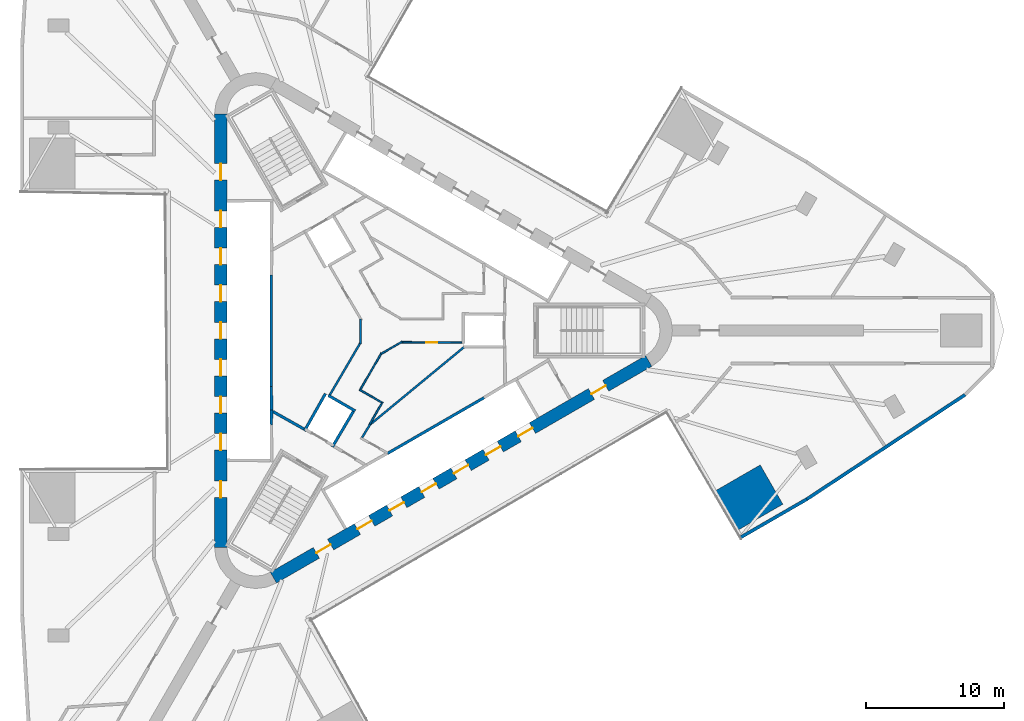
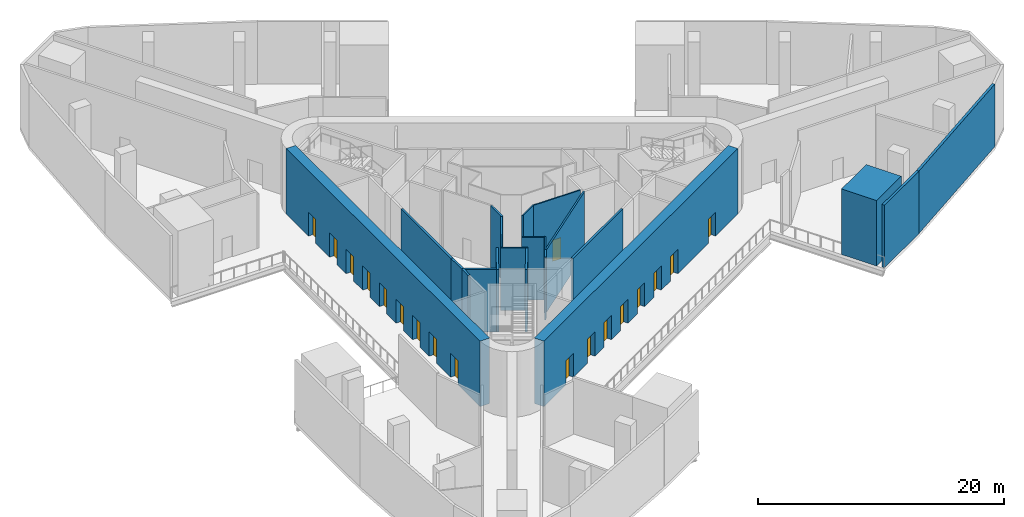
# One storey, part 4 of 11: 22 walls, 18 doors, 18 openings.
"""IFC4 building model written with IfcOpenShell, lengths in metres."""

from ifc_helpers import new_model, si_unit, direction, frame, frame_2d, origin, place, context, subcontext, project, spatial, polyline, rectangle, outline, extrude, material, layer, layer_set, type_object, element, fill, save


model = new_model("IFC4")

# Units and contexts
model_context = context("Model", 3, precision=1e-05, world=origin(), true_north=direction((0.0, 1.0)))
body_context = subcontext(model_context, "Body", "Model", "MODEL_VIEW")
ifc_project = project(units=[si_unit("LENGTHUNIT", "METRE"), si_unit("AREAUNIT", "SQUARE_METRE"), si_unit("VOLUMEUNIT", "CUBIC_METRE"), si_unit("PLANEANGLEUNIT", "RADIAN"), si_unit("MASSUNIT", "GRAM", prefix="KILO")], contexts=[model_context])

# Site, building, storey
site_placement = place(None, origin())
site = spatial("IfcSite", under=ifc_project, at=site_placement, CompositionType="ELEMENT")
building_placement = place(site_placement, origin())
building = spatial("IfcBuilding", under=site, at=building_placement, Name="Tanit Gate Tower", CompositionType="ELEMENT")
storey_placement = place(building_placement, frame((0.0, 0.0, 9.0)))
storey = spatial("IfcBuildingStorey", under=building, at=storey_placement, Name="L01", CompositionType="ELEMENT", Elevation=9.0)

# Wall, openings, doors
ifc_material_1 = material(Name="Concrete C60/75", Category="concrete")
ifc_layer_1 = layer(ifc_material_1, 0.89990234375)
ifc_layer_set_1 = layer_set([ifc_layer_1], Name="CORE WALL 900 C60/75")
wall_type_1 = type_object("IfcWallType", Name="CORE WALL 900 C60/75", PredefinedType="SHEAR", material=ifc_layer_set_1)
wall_1_placement = place(storey_placement, frame((-11.64990234375, 15.76171875, 0.0), z_axis=(0.0, 0.0, 1.0), x_axis=(0.0, -1.0, 0.0)))
wall_1 = element("IfcWall", 1, at=wall_1_placement, inside=storey, type_object=wall_type_1, Name="CORE WALL", PredefinedType="SHEAR", context=body_context, shape_type="SweptSolid", body=[
    extrude(rectangle(XDim=31.5234375, YDim=0.89990234375, at=frame_2d((15.76171875, 0.0))), origin(), (0.0, 0.0, 1.0), 6.5),
])
opening_1_placement = place(wall_1_placement, frame((7.061767578125, 0.0, 0.0)))
opening_1 = element("IfcOpeningElement", 2, at=opening_1_placement, cuts=wall_1, Name="Opening LDLL1-01", PredefinedType="OPENING", context=body_context, shape_type="SweptSolid", body=[
    extrude(rectangle(XDim=1.199951171875, YDim=2.39990234375, at=frame_2d((0.60009765625, 1.199951171875))), frame((0.0, 0.4599609375, 0.0), z_axis=(0.0, -1.0, 0.0), x_axis=(1.0, 0.0, 0.0)), (0.0, 0.0, 1.0), 0.919921875),
])
opening_2_placement = place(wall_1_placement, frame((9.76171875, 0.0, 0.0)))
opening_2 = element("IfcOpeningElement", 3, at=opening_2_placement, cuts=wall_1, Name="Opening LDLL2-01", PredefinedType="OPENING", context=body_context, shape_type="SweptSolid", body=[
    extrude(rectangle(XDim=1.199951171875, YDim=2.39990234375, at=frame_2d((0.60009765625, 1.199951171875))), frame((0.0, 0.4599609375, 0.0), z_axis=(0.0, -1.0, 0.0), x_axis=(1.0, 0.0, 0.0)), (0.0, 0.0, 1.0), 0.919921875),
])
opening_3_placement = place(wall_1_placement, frame((12.461669921875, 0.0, 0.0)))
opening_3 = element("IfcOpeningElement", 4, at=opening_3_placement, cuts=wall_1, Name="Opening LDLL3-01", PredefinedType="OPENING", context=body_context, shape_type="SweptSolid", body=[
    extrude(rectangle(XDim=1.199951171875, YDim=2.39990234375, at=frame_2d((0.60009765625, 1.199951171875))), frame((0.0, 0.4599609375, 0.0), z_axis=(0.0, -1.0, 0.0), x_axis=(1.0, 0.0, 0.0)), (0.0, 0.0, 1.0), 0.919921875),
])
opening_4_placement = place(wall_1_placement, frame((15.16162109375, 0.0, 0.0)))
opening_4 = element("IfcOpeningElement", 5, at=opening_4_placement, cuts=wall_1, Name="Opening LDLL4-01", PredefinedType="OPENING", context=body_context, shape_type="SweptSolid", body=[
    extrude(rectangle(XDim=1.199951171875, YDim=2.39990234375, at=frame_2d((0.60009765625, 1.199951171875))), frame((0.0, 0.4599609375, 0.0), z_axis=(0.0, -1.0, 0.0), x_axis=(1.0, 0.0, 0.0)), (0.0, 0.0, 1.0), 0.919921875),
])
opening_5_placement = place(wall_1_placement, frame((17.86181640625, 0.0, 0.0)))
opening_5 = element("IfcOpeningElement", 6, at=opening_5_placement, cuts=wall_1, Name="Opening LDLL5-01", PredefinedType="OPENING", context=body_context, shape_type="SweptSolid", body=[
    extrude(rectangle(XDim=1.199951171875, YDim=2.39990234375, at=frame_2d((0.60009765625, 1.199951171875))), frame((0.0, 0.4599609375, 0.0), z_axis=(0.0, -1.0, 0.0), x_axis=(1.0, 0.0, 0.0)), (0.0, 0.0, 1.0), 0.919921875),
])
opening_6_placement = place(wall_1_placement, frame((20.561767578125, 0.0, 0.0)))
opening_6 = element("IfcOpeningElement", 7, at=opening_6_placement, cuts=wall_1, Name="Opening LDLL6-01", PredefinedType="OPENING", context=body_context, shape_type="SweptSolid", body=[
    extrude(rectangle(XDim=1.199951171875, YDim=2.39990234375, at=frame_2d((0.60009765625, 1.199951171875))), frame((0.0, 0.4599609375, 0.0), z_axis=(0.0, -1.0, 0.0), x_axis=(1.0, 0.0, 0.0)), (0.0, 0.0, 1.0), 0.919921875),
])
opening_7_placement = place(wall_1_placement, frame((23.26171875, 0.0, 0.0)))
opening_7 = element("IfcOpeningElement", 8, at=opening_7_placement, cuts=wall_1, Name="Opening LDLL7-01", PredefinedType="OPENING", context=body_context, shape_type="SweptSolid", body=[
    extrude(rectangle(XDim=1.199951171875, YDim=2.39990234375, at=frame_2d((0.60009765625, 1.199951171875))), frame((0.0, 0.4599609375, 0.0), z_axis=(0.0, -1.0, 0.0), x_axis=(1.0, 0.0, 0.0)), (0.0, 0.0, 1.0), 0.919921875),
])
opening_8_placement = place(wall_1_placement, frame((3.61181640625, 0.0, 0.0)))
opening_8 = element("IfcOpeningElement", 9, at=opening_8_placement, cuts=wall_1, Name="Opening F12-01-FL2", PredefinedType="OPENING", context=body_context, shape_type="SweptSolid", body=[
    extrude(rectangle(XDim=1.199951171875, YDim=2.39990234375, at=frame_2d((0.60009765625, 1.199951171875))), frame((0.0, 0.4599609375, 0.0), z_axis=(0.0, -1.0, 0.0), x_axis=(1.0, 0.0, 0.0)), (0.0, 0.0, 1.0), 0.919921875),
])
opening_9_placement = place(wall_1_placement, frame((26.711669921875, 0.0, 0.0)))
opening_9 = element("IfcOpeningElement", 10, at=opening_9_placement, cuts=wall_1, Name="Opening F12-01-S3", PredefinedType="OPENING", context=body_context, shape_type="SweptSolid", body=[
    extrude(rectangle(XDim=1.199951171875, YDim=2.39990234375, at=frame_2d((0.60009765625, 1.199951171875))), frame((0.0, 0.4599609375, 0.0), z_axis=(0.0, -1.0, 0.0), x_axis=(1.0, 0.0, 0.0)), (0.0, 0.0, 1.0), 0.919921875),
])
ifc_material_2 = material(Name="Fire-rated steel door leaf", Category="steel")
door_type_1 = type_object("IfcDoorType", Name="INT-DOOR-FIRE-LOBBY-1200", OperationType="NOTDEFINED", PredefinedType="USERDEFINED", material=ifc_material_2)
door_1_placement = place(opening_8_placement, origin())
door_1 = element("IfcDoor", 11, at=door_1_placement, inside=storey, type_object=door_type_1, Name="Door F12-01-FL2", ObjectType="FIRE DOOR", OperationType="SINGLE_SWING_RIGHT", OverallHeight=2.39990234375, OverallWidth=1.199951171875, PredefinedType="USERDEFINED", context=body_context, shape_type="SweptSolid", body=[
    extrude(rectangle(XDim=1.199951171875, YDim=2.39990234375, at=frame_2d((0.60009765625, 1.199951171875))), frame((0.0, 0.02490234375, 0.0), z_axis=(0.0, -1.0, 0.0), x_axis=(1.0, 0.0, 0.0)), (0.0, 0.0, 1.0), 0.050048828125),
])
fill(opening_8, door_1)
door_2_placement = place(opening_9_placement, origin())
door_2 = element("IfcDoor", 12, at=door_2_placement, inside=storey, type_object=door_type_1, Name="Door F12-01-S3", ObjectType="FIRE DOOR", OperationType="SINGLE_SWING_LEFT", OverallHeight=2.39990234375, OverallWidth=1.199951171875, PredefinedType="USERDEFINED", context=body_context, shape_type="SweptSolid", body=[
    extrude(rectangle(XDim=1.199951171875, YDim=2.39990234375, at=frame_2d((0.60009765625, 1.199951171875))), frame((0.0, 0.02490234375, 0.0), z_axis=(0.0, -1.0, 0.0), x_axis=(1.0, 0.0, 0.0)), (0.0, 0.0, 1.0), 0.050048828125),
])
fill(opening_9, door_2)
ifc_material_3 = material(Name="Stainless steel sliding door leaf", Category="steel")
door_type_2 = type_object("IfcDoorType", Name="INT-DOOR-LANDING-1200", OperationType="NOTDEFINED", PredefinedType="USERDEFINED", material=ifc_material_3)
door_3_placement = place(opening_1_placement, origin())
door_3 = element("IfcDoor", 13, at=door_3_placement, inside=storey, type_object=door_type_2, Name="Door LDLL1-01", ObjectType="LANDING DOOR", OperationType="SLIDING_TO_LEFT", OverallHeight=2.39990234375, OverallWidth=1.199951171875, PredefinedType="USERDEFINED", context=body_context, shape_type="SweptSolid", body=[
    extrude(rectangle(XDim=1.199951171875, YDim=2.39990234375, at=frame_2d((0.60009765625, 1.199951171875))), frame((0.0, 0.02490234375, 0.0), z_axis=(0.0, -1.0, 0.0), x_axis=(1.0, 0.0, 0.0)), (0.0, 0.0, 1.0), 0.050048828125),
])
fill(opening_1, door_3)
door_4_placement = place(opening_2_placement, origin())
door_4 = element("IfcDoor", 14, at=door_4_placement, inside=storey, type_object=door_type_2, Name="Door LDLL2-01", ObjectType="LANDING DOOR", OperationType="SLIDING_TO_LEFT", OverallHeight=2.39990234375, OverallWidth=1.199951171875, PredefinedType="USERDEFINED", context=body_context, shape_type="SweptSolid", body=[
    extrude(rectangle(XDim=1.199951171875, YDim=2.39990234375, at=frame_2d((0.60009765625, 1.199951171875))), frame((0.0, 0.02490234375, 0.0), z_axis=(0.0, -1.0, 0.0), x_axis=(1.0, 0.0, 0.0)), (0.0, 0.0, 1.0), 0.050048828125),
])
fill(opening_2, door_4)
door_5_placement = place(opening_3_placement, origin())
door_5 = element("IfcDoor", 15, at=door_5_placement, inside=storey, type_object=door_type_2, Name="Door LDLL3-01", ObjectType="LANDING DOOR", OperationType="SLIDING_TO_LEFT", OverallHeight=2.39990234375, OverallWidth=1.199951171875, PredefinedType="USERDEFINED", context=body_context, shape_type="SweptSolid", body=[
    extrude(rectangle(XDim=1.199951171875, YDim=2.39990234375, at=frame_2d((0.60009765625, 1.199951171875))), frame((0.0, 0.02490234375, 0.0), z_axis=(0.0, -1.0, 0.0), x_axis=(1.0, 0.0, 0.0)), (0.0, 0.0, 1.0), 0.050048828125),
])
fill(opening_3, door_5)
door_6_placement = place(opening_4_placement, origin())
door_6 = element("IfcDoor", 16, at=door_6_placement, inside=storey, type_object=door_type_2, Name="Door LDLL4-01", ObjectType="LANDING DOOR", OperationType="SLIDING_TO_LEFT", OverallHeight=2.39990234375, OverallWidth=1.199951171875, PredefinedType="USERDEFINED", context=body_context, shape_type="SweptSolid", body=[
    extrude(rectangle(XDim=1.199951171875, YDim=2.39990234375, at=frame_2d((0.60009765625, 1.199951171875))), frame((0.0, 0.02490234375, 0.0), z_axis=(0.0, -1.0, 0.0), x_axis=(1.0, 0.0, 0.0)), (0.0, 0.0, 1.0), 0.050048828125),
])
fill(opening_4, door_6)
door_7_placement = place(opening_5_placement, origin())
door_7 = element("IfcDoor", 17, at=door_7_placement, inside=storey, type_object=door_type_2, Name="Door LDLL5-01", ObjectType="LANDING DOOR", OperationType="SLIDING_TO_LEFT", OverallHeight=2.39990234375, OverallWidth=1.199951171875, PredefinedType="USERDEFINED", context=body_context, shape_type="SweptSolid", body=[
    extrude(rectangle(XDim=1.199951171875, YDim=2.39990234375, at=frame_2d((0.60009765625, 1.199951171875))), frame((0.0, 0.02490234375, 0.0), z_axis=(0.0, -1.0, 0.0), x_axis=(1.0, 0.0, 0.0)), (0.0, 0.0, 1.0), 0.050048828125),
])
fill(opening_5, door_7)
door_8_placement = place(opening_6_placement, origin())
door_8 = element("IfcDoor", 18, at=door_8_placement, inside=storey, type_object=door_type_2, Name="Door LDLL6-01", ObjectType="LANDING DOOR", OperationType="SLIDING_TO_LEFT", OverallHeight=2.39990234375, OverallWidth=1.199951171875, PredefinedType="USERDEFINED", context=body_context, shape_type="SweptSolid", body=[
    extrude(rectangle(XDim=1.199951171875, YDim=2.39990234375, at=frame_2d((0.60009765625, 1.199951171875))), frame((0.0, 0.02490234375, 0.0), z_axis=(0.0, -1.0, 0.0), x_axis=(1.0, 0.0, 0.0)), (0.0, 0.0, 1.0), 0.050048828125),
])
fill(opening_6, door_8)
door_9_placement = place(opening_7_placement, origin())
door_9 = element("IfcDoor", 19, at=door_9_placement, inside=storey, type_object=door_type_2, Name="Door LDLL7-01", ObjectType="LANDING DOOR", OperationType="SLIDING_TO_LEFT", OverallHeight=2.39990234375, OverallWidth=1.199951171875, PredefinedType="USERDEFINED", context=body_context, shape_type="SweptSolid", body=[
    extrude(rectangle(XDim=1.199951171875, YDim=2.39990234375, at=frame_2d((0.60009765625, 1.199951171875))), frame((0.0, 0.02490234375, 0.0), z_axis=(0.0, -1.0, 0.0), x_axis=(1.0, 0.0, 0.0)), (0.0, 0.0, 1.0), 0.050048828125),
])
fill(opening_7, door_9)

wall_2_placement = place(storey_placement, frame((-7.824951171875, -17.969970703125, 0.0), z_axis=(0.0, 0.0, 1.0), x_axis=(0.866028369851, 0.499994862586, 0.0)))
wall_2 = element("IfcWall", 20, at=wall_2_placement, inside=storey, type_object=wall_type_1, Name="CORE WALL", PredefinedType="SHEAR", context=body_context, shape_type="SweptSolid", body=[
    extrude(rectangle(XDim=31.523193359375, YDim=0.89990234375, at=frame_2d((15.76171875, 0.0))), origin(), (0.0, 0.0, 1.0), 6.5),
])
opening_10_placement = place(wall_2_placement, frame((7.061767578125, 0.0, 0.0)))
opening_10 = element("IfcOpeningElement", 21, at=opening_10_placement, cuts=wall_2, Name="Opening LDSX1-01", PredefinedType="OPENING", context=body_context, shape_type="SweptSolid", body=[
    extrude(rectangle(XDim=1.199951171875, YDim=2.39990234375, at=frame_2d((0.60009765625, 1.199951171875))), frame((0.0, 0.4599609375, 0.0), z_axis=(0.0, -1.0, 0.0), x_axis=(1.0, 0.0, 0.0)), (0.0, 0.0, 1.0), 0.919921875),
])
opening_11_placement = place(wall_2_placement, frame((9.76171875, 0.0, 0.0)))
opening_11 = element("IfcOpeningElement", 22, at=opening_11_placement, cuts=wall_2, Name="Opening LDSX2-01", PredefinedType="OPENING", context=body_context, shape_type="SweptSolid", body=[
    extrude(rectangle(XDim=1.199951171875, YDim=2.39990234375, at=frame_2d((0.60009765625, 1.199951171875))), frame((0.0, 0.4599609375, 0.0), z_axis=(0.0, -1.0, 0.0), x_axis=(1.0, 0.0, 0.0)), (0.0, 0.0, 1.0), 0.919921875),
])
opening_12_placement = place(wall_2_placement, frame((12.461669921875, 0.0, 0.0)))
opening_12 = element("IfcOpeningElement", 23, at=opening_12_placement, cuts=wall_2, Name="Opening LDSX3-01", PredefinedType="OPENING", context=body_context, shape_type="SweptSolid", body=[
    extrude(rectangle(XDim=1.199951171875, YDim=2.39990234375, at=frame_2d((0.60009765625, 1.199951171875))), frame((0.0, 0.4599609375, 0.0), z_axis=(0.0, -1.0, 0.0), x_axis=(1.0, 0.0, 0.0)), (0.0, 0.0, 1.0), 0.919921875),
])
opening_13_placement = place(wall_2_placement, frame((15.16162109375, 0.0, 0.0)))
opening_13 = element("IfcOpeningElement", 24, at=opening_13_placement, cuts=wall_2, Name="Opening LDSX4-01", PredefinedType="OPENING", context=body_context, shape_type="SweptSolid", body=[
    extrude(rectangle(XDim=1.199951171875, YDim=2.39990234375, at=frame_2d((0.60009765625, 1.199951171875))), frame((0.0, 0.4599609375, 0.0), z_axis=(0.0, -1.0, 0.0), x_axis=(1.0, 0.0, 0.0)), (0.0, 0.0, 1.0), 0.919921875),
])
opening_14_placement = place(wall_2_placement, frame((17.861572265625, 0.0, 0.0)))
opening_14 = element("IfcOpeningElement", 25, at=opening_14_placement, cuts=wall_2, Name="Opening LDSV1-01", PredefinedType="OPENING", context=body_context, shape_type="SweptSolid", body=[
    extrude(rectangle(XDim=1.199951171875, YDim=2.39990234375, at=frame_2d((0.60009765625, 1.199951171875))), frame((0.0, 0.4599609375, 0.0), z_axis=(0.0, -1.0, 0.0), x_axis=(1.0, 0.0, 0.0)), (0.0, 0.0, 1.0), 0.919921875),
])
opening_15_placement = place(wall_2_placement, frame((20.561767578125, 0.0, 0.0)))
opening_15 = element("IfcOpeningElement", 26, at=opening_15_placement, cuts=wall_2, Name="Opening LDSV2-01", PredefinedType="OPENING", context=body_context, shape_type="SweptSolid", body=[
    extrude(rectangle(XDim=1.199951171875, YDim=2.39990234375, at=frame_2d((0.60009765625, 1.199951171875))), frame((0.0, 0.4599609375, 0.0), z_axis=(0.0, -1.0, 0.0), x_axis=(1.0, 0.0, 0.0)), (0.0, 0.0, 1.0), 0.919921875),
])
opening_16_placement = place(wall_2_placement, frame((26.711669921875, 0.0, 0.0)))
opening_16 = element("IfcOpeningElement", 27, at=opening_16_placement, cuts=wall_2, Name="Opening F12-01-S1", PredefinedType="OPENING", context=body_context, shape_type="SweptSolid", body=[
    extrude(rectangle(XDim=1.199951171875, YDim=2.39990234375, at=frame_2d((0.60009765625, 1.199951171875))), frame((0.0, 0.4599609375, 0.0), z_axis=(0.0, -1.0, 0.0), x_axis=(1.0, 0.0, 0.0)), (0.0, 0.0, 1.0), 0.919921875),
])
opening_17_placement = place(wall_2_placement, frame((3.611572265625, 0.0, 0.0)))
opening_17 = element("IfcOpeningElement", 28, at=opening_17_placement, cuts=wall_2, Name="Opening F12-01-FL3", PredefinedType="OPENING", context=body_context, shape_type="SweptSolid", body=[
    extrude(rectangle(XDim=1.199951171875, YDim=2.39990234375, at=frame_2d((0.60009765625, 1.199951171875))), frame((0.0, 0.4599609375, 0.0), z_axis=(0.0, -1.0, 0.0), x_axis=(1.0, 0.0, 0.0)), (0.0, 0.0, 1.0), 0.919921875),
])
door_10_placement = place(opening_16_placement, origin())
door_10 = element("IfcDoor", 29, at=door_10_placement, inside=storey, type_object=door_type_1, Name="Door F12-01-S1", ObjectType="FIRE DOOR", OperationType="SINGLE_SWING_RIGHT", OverallHeight=2.39990234375, OverallWidth=1.199951171875, PredefinedType="USERDEFINED", context=body_context, shape_type="SweptSolid", body=[
    extrude(rectangle(XDim=1.199951171875, YDim=2.39990234375, at=frame_2d((0.60009765625, 1.199951171875))), frame((0.0, 0.02490234375, 0.0), z_axis=(0.0, -1.0, 0.0), x_axis=(1.0, 0.0, 0.0)), (0.0, 0.0, 1.0), 0.050048828125),
])
fill(opening_16, door_10)
door_11_placement = place(opening_17_placement, origin())
door_11 = element("IfcDoor", 30, at=door_11_placement, inside=storey, type_object=door_type_1, Name="Door F12-01-FL3", ObjectType="FIRE DOOR", OperationType="SINGLE_SWING_RIGHT", OverallHeight=2.39990234375, OverallWidth=1.199951171875, PredefinedType="USERDEFINED", context=body_context, shape_type="SweptSolid", body=[
    extrude(rectangle(XDim=1.199951171875, YDim=2.39990234375, at=frame_2d((0.60009765625, 1.199951171875))), frame((0.0, 0.02490234375, 0.0), z_axis=(0.0, -1.0, 0.0), x_axis=(1.0, 0.0, 0.0)), (0.0, 0.0, 1.0), 0.050048828125),
])
fill(opening_17, door_11)
door_12_placement = place(opening_10_placement, origin())
door_12 = element("IfcDoor", 31, at=door_12_placement, inside=storey, type_object=door_type_2, Name="Door LDSX1-01", ObjectType="LANDING DOOR", OperationType="SLIDING_TO_LEFT", OverallHeight=2.39990234375, OverallWidth=1.199951171875, PredefinedType="USERDEFINED", context=body_context, shape_type="SweptSolid", body=[
    extrude(rectangle(XDim=1.199951171875, YDim=2.39990234375, at=frame_2d((0.60009765625, 1.199951171875))), frame((0.0, 0.02490234375, 0.0), z_axis=(0.0, -1.0, 0.0), x_axis=(1.0, 0.0, 0.0)), (0.0, 0.0, 1.0), 0.050048828125),
])
fill(opening_10, door_12)
door_13_placement = place(opening_11_placement, origin())
door_13 = element("IfcDoor", 32, at=door_13_placement, inside=storey, type_object=door_type_2, Name="Door LDSX2-01", ObjectType="LANDING DOOR", OperationType="SLIDING_TO_LEFT", OverallHeight=2.39990234375, OverallWidth=1.199951171875, PredefinedType="USERDEFINED", context=body_context, shape_type="SweptSolid", body=[
    extrude(rectangle(XDim=1.199951171875, YDim=2.39990234375, at=frame_2d((0.60009765625, 1.199951171875))), frame((0.0, 0.02490234375, 0.0), z_axis=(0.0, -1.0, 0.0), x_axis=(1.0, 0.0, 0.0)), (0.0, 0.0, 1.0), 0.050048828125),
])
fill(opening_11, door_13)
door_14_placement = place(opening_12_placement, origin())
door_14 = element("IfcDoor", 33, at=door_14_placement, inside=storey, type_object=door_type_2, Name="Door LDSX3-01", ObjectType="LANDING DOOR", OperationType="SLIDING_TO_LEFT", OverallHeight=2.39990234375, OverallWidth=1.199951171875, PredefinedType="USERDEFINED", context=body_context, shape_type="SweptSolid", body=[
    extrude(rectangle(XDim=1.199951171875, YDim=2.39990234375, at=frame_2d((0.60009765625, 1.199951171875))), frame((0.0, 0.02490234375, 0.0), z_axis=(0.0, -1.0, 0.0), x_axis=(1.0, 0.0, 0.0)), (0.0, 0.0, 1.0), 0.050048828125),
])
fill(opening_12, door_14)
door_15_placement = place(opening_13_placement, origin())
door_15 = element("IfcDoor", 34, at=door_15_placement, inside=storey, type_object=door_type_2, Name="Door LDSX4-01", ObjectType="LANDING DOOR", OperationType="SLIDING_TO_LEFT", OverallHeight=2.39990234375, OverallWidth=1.199951171875, PredefinedType="USERDEFINED", context=body_context, shape_type="SweptSolid", body=[
    extrude(rectangle(XDim=1.199951171875, YDim=2.39990234375, at=frame_2d((0.60009765625, 1.199951171875))), frame((0.0, 0.02490234375, 0.0), z_axis=(0.0, -1.0, 0.0), x_axis=(1.0, 0.0, 0.0)), (0.0, 0.0, 1.0), 0.050048828125),
])
fill(opening_13, door_15)
door_16_placement = place(opening_14_placement, origin())
door_16 = element("IfcDoor", 35, at=door_16_placement, inside=storey, type_object=door_type_2, Name="Door LDSV1-01", ObjectType="LANDING DOOR", OperationType="SLIDING_TO_LEFT", OverallHeight=2.39990234375, OverallWidth=1.199951171875, PredefinedType="USERDEFINED", context=body_context, shape_type="SweptSolid", body=[
    extrude(rectangle(XDim=1.199951171875, YDim=2.39990234375, at=frame_2d((0.60009765625, 1.199951171875))), frame((0.0, 0.02490234375, 0.0), z_axis=(0.0, -1.0, 0.0), x_axis=(1.0, 0.0, 0.0)), (0.0, 0.0, 1.0), 0.050048828125),
])
fill(opening_14, door_16)
door_17_placement = place(opening_15_placement, origin())
door_17 = element("IfcDoor", 36, at=door_17_placement, inside=storey, type_object=door_type_2, Name="Door LDSV2-01", ObjectType="LANDING DOOR", OperationType="SLIDING_TO_LEFT", OverallHeight=2.39990234375, OverallWidth=1.199951171875, PredefinedType="USERDEFINED", context=body_context, shape_type="SweptSolid", body=[
    extrude(rectangle(XDim=1.199951171875, YDim=2.39990234375, at=frame_2d((0.60009765625, 1.199951171875))), frame((0.0, 0.02490234375, 0.0), z_axis=(0.0, -1.0, 0.0), x_axis=(1.0, 0.0, 0.0)), (0.0, 0.0, 1.0), 0.050048828125),
])
fill(opening_15, door_17)

# Walls
ifc_material_4 = material(Name="Concrete C30/37 with bronze anodised aluminium cladding", Category="concrete")
ifc_layer_2 = layer(ifc_material_4, 0.239990234375)
ifc_layer_set_2 = layer_set([ifc_layer_2], Name="Facade wall bronze clad 240")
wall_type_2 = type_object("IfcWallType", Name="Facade wall bronze clad 240", PredefinedType="SOLIDWALL", material=ifc_layer_set_2)
wall_3_placement = place(storey_placement, frame((26.1474609375, -15.0498046875, 0.0), z_axis=(0.0, 0.0, 1.0), x_axis=(0.865999312459, 0.500045188778, 0.0)))
element("IfcWall", 37, at=wall_3_placement, inside=storey, type_object=wall_type_2, Name="Bronze-clad facade wall L01 SE2b", PredefinedType="SOLIDWALL", context=body_context, shape_type="SweptSolid", body=[
    extrude(rectangle(XDim=5.56591796875, YDim=0.239990234375, at=frame_2d((2.782958984375, 0.0))), origin(), (0.0, 0.0, 1.0), 6.199951171875),
])
wall_4_placement = place(storey_placement, frame((30.967529296875, -12.2666015625, 0.0), z_axis=(0.0, 0.0, 1.0), x_axis=(0.834683405501, 0.550730072342, 0.0)))
element("IfcWall", 38, at=wall_4_placement, inside=storey, type_object=wall_type_2, Name="Bronze-clad facade wall L01 SE3", PredefinedType="SOLIDWALL", context=body_context, shape_type="SweptSolid", body=[
    extrude(rectangle(XDim=13.80126953125, YDim=0.239990234375, at=frame_2d((6.900634765625, 0.0))), origin(), (0.0, 0.0, 1.0), 6.199951171875),
])
ifc_material_5 = material(Name="Fire-rated gypsum board partition")
ifc_layer_3 = layer(ifc_material_5, 0.199951171875)
ifc_layer_set_3 = layer_set([ifc_layer_3], Name="INT-WALL-COMPARTMENT")
wall_type_3 = type_object("IfcWallType", Name="INT-WALL-COMPARTMENT", PredefinedType="PARTITIONING", material=ifc_layer_set_3)
wall_5_placement = place(storey_placement, frame((-7.84912109375, -5.893798828125, 0.0), z_axis=(0.0, 0.0, 1.0), x_axis=(0.871340486379, -0.490678873396, 0.0)))
element("IfcWall", 39, at=wall_5_placement, inside=storey, type_object=wall_type_3, Name="Wall Compartment W066", PredefinedType="PARTITIONING", context=body_context, shape_type="SweptSolid", body=[
    extrude(rectangle(XDim=2.580810546875, YDim=0.199951171875, at=frame_2d((1.29052734375, 0.0))), origin(), (0.0, 0.0, 1.0), 6.199951171875),
])
ifc_material_6 = material(Name="Gypsum board partition")
ifc_layer_4 = layer(ifc_material_6, 0.1201171875)
ifc_layer_set_4 = layer_set([ifc_layer_4], Name="INT-WALL-PARTITION")
wall_type_4 = type_object("IfcWallType", Name="INT-WALL-PARTITION", PredefinedType="PARTITIONING", material=ifc_layer_set_4)
wall_6_placement = place(storey_placement, frame((0.1181640625, -5.195068359375, 0.0), z_axis=(0.0, 0.0, 1.0), x_axis=(-0.499969367985, -0.866043088465, 0.0)))
element("IfcWall", 40, at=wall_6_placement, inside=storey, type_object=wall_type_4, Name="Wall Partition W074", PredefinedType="PARTITIONING", context=body_context, shape_type="SweptSolid", body=[
    extrude(rectangle(XDim=1.93994140625, YDim=0.1201171875, at=frame_2d((0.969970703125, 0.0))), origin(), (0.0, 0.0, 1.0), 6.199951171875),
])
wall_7_placement = place(storey_placement, frame((-1.56591796875, -4.292236328125, 0.0), z_axis=(0.0, 0.0, 1.0), x_axis=(0.866091100096, -0.499886193382, 0.0)))
element("IfcWall", 41, at=wall_7_placement, inside=storey, type_object=wall_type_4, Name="Wall Partition W075", PredefinedType="PARTITIONING", context=body_context, shape_type="SweptSolid", body=[
    extrude(rectangle(XDim=1.85009765625, YDim=0.1201171875, at=frame_2d((0.925048828125, 0.0))), origin(), (0.0, 0.0, 1.0), 6.199951171875),
])
wall_8_placement = place(storey_placement, frame((0.052001953125, -1.610107421875, 0.0), z_axis=(0.0, 0.0, 1.0), x_axis=(-0.500011413361, -0.866018814177, 0.0)))
element("IfcWall", 42, at=wall_8_placement, inside=storey, type_object=wall_type_4, Name="Wall Partition W076", PredefinedType="PARTITIONING", context=body_context, shape_type="SweptSolid", body=[
    extrude(rectangle(XDim=3.07177734375, YDim=0.1201171875, at=frame_2d((1.535888671875, 0.0))), origin(), (0.0, 0.0, 1.0), 6.199951171875),
])
wall_9_placement = place(storey_placement, frame((1.560791015625, -0.798828125, 0.0), z_axis=(0.0, 0.0, 1.0), x_axis=(-0.866019189511, -0.500010763282, 0.0)))
element("IfcWall", 43, at=wall_9_placement, inside=storey, type_object=wall_type_4, Name="Wall Partition W077", PredefinedType="PARTITIONING", context=body_context, shape_type="SweptSolid", body=[
    extrude(rectangle(XDim=1.78369140625, YDim=0.1201171875, at=frame_2d((0.891845703125, 0.0))), origin(), (0.0, 0.0, 1.0), 6.199951171875),
])

# Wall, opening, door
wall_10_placement = place(storey_placement, frame((5.89990234375, -0.87890625, 0.0), z_axis=(0.0, 0.0, 1.0), x_axis=(-0.999978650839, 0.006534360439, 0.0)))
wall_10 = element("IfcWall", 44, at=wall_10_placement, inside=storey, type_object=wall_type_4, Name="Wall Partition W078", PredefinedType="PARTITIONING", context=body_context, shape_type="SweptSolid", body=[
    extrude(rectangle(XDim=4.40869140625, YDim=0.1201171875, at=frame_2d((2.204345703125, 0.0))), origin(), (0.0, 0.0, 1.0), 6.199951171875),
])
opening_18_placement = place(wall_10_placement, frame((1.804443359375, 0.0, 0.0)))
opening_18 = element("IfcOpeningElement", 45, at=opening_18_placement, cuts=wall_10, Name="Opening R08-01-12", PredefinedType="OPENING", context=body_context, shape_type="SweptSolid", body=[
    extrude(rectangle(XDim=0.800048828125, YDim=2.10009765625, at=frame_2d((0.39990234375, 1.050048828125))), frame((0.0, 0.070068359375, 0.0), z_axis=(0.0, -1.0, 0.0), x_axis=(1.0, 0.0, 0.0)), (0.0, 0.0, 1.0), 0.14013671875),
])
ifc_material_7 = material(Name="Timber door leaf", Category="wood")
door_type_3 = type_object("IfcDoorType", Name="INT-DOOR-RISER-800", OperationType="NOTDEFINED", PredefinedType="USERDEFINED", material=ifc_material_7)
door_18_placement = place(opening_18_placement, origin())
door_18 = element("IfcDoor", 46, at=door_18_placement, inside=storey, type_object=door_type_3, Name="Door R08-01-12", ObjectType="FIRE DOOR", OperationType="SINGLE_SWING_LEFT", OverallHeight=2.10009765625, OverallWidth=0.800048828125, PredefinedType="USERDEFINED", context=body_context, shape_type="SweptSolid", body=[
    extrude(rectangle(XDim=0.800048828125, YDim=2.10009765625, at=frame_2d((0.39990234375, 1.050048828125))), frame((0.0, 0.02490234375, 0.0), z_axis=(0.0, -1.0, 0.0), x_axis=(1.0, 0.0, 0.0)), (0.0, 0.0, 1.0), 0.050048828125),
])
fill(opening_18, door_18)

# Walls
ifc_material_8 = material(Name="Fire-rated gypsum board partition")
ifc_layer_5 = layer(ifc_material_8, 0.14990234375)
ifc_layer_set_5 = layer_set([ifc_layer_5], Name="INT-WALL-RISER")
wall_type_5 = type_object("IfcWallType", Name="INT-WALL-RISER", PredefinedType="PLUMBINGWALL", material=ifc_layer_set_5)
wall_11_placement = place(storey_placement, frame((-1.47216796875, -0.97802734375, 0.0), z_axis=(0.0, 0.0, 1.0), x_axis=(0.0, 1.0, 0.0)))
element("IfcWall", 47, at=wall_11_placement, inside=storey, type_object=wall_type_5, Name="Wall Riser W069", PredefinedType="PLUMBINGWALL", context=body_context, shape_type="SweptSolid", body=[
    extrude(rectangle(XDim=1.804443359375, YDim=0.14990234375, at=frame_2d((0.90234375, 0.0))), origin(), (0.0, 0.0, 1.0), 6.199951171875),
])
wall_12_placement = place(storey_placement, frame((-3.711181640625, -4.670166015625, 0.0), z_axis=(0.0, 0.0, 1.0), x_axis=(0.505648368764, 0.86273966361, 0.0)))
element("IfcWall", 48, at=wall_12_placement, inside=storey, type_object=wall_type_5, Name="Wall Riser W070", PredefinedType="PLUMBINGWALL", context=body_context, shape_type="SweptSolid", body=[
    extrude(rectangle(XDim=4.404296875, YDim=0.14990234375, at=frame_2d((2.2021484375, 0.0))), origin(), (0.0, 0.0, 1.0), 6.199951171875),
])
wall_13_placement = place(storey_placement, frame((6.04638671875, -1.199951171875, 0.0), z_axis=(0.0, 0.0, 1.0), x_axis=(-0.771489624803, -0.636241902755, 0.0)))
element("IfcWall", 49, at=wall_13_placement, inside=storey, type_object=wall_type_5, Name="Wall Riser W071", PredefinedType="PLUMBINGWALL", context=body_context, shape_type="SweptSolid", body=[
    extrude(rectangle(XDim=8.960693359375, YDim=0.14990234375, at=frame_2d((4.48046875, 0.0))), origin(), (0.0, 0.0, 1.0), 6.199951171875),
])
wall_14_placement = place(storey_placement, frame((-0.78662109375, -6.8212890625, 0.0), z_axis=(0.0, 0.0, 1.0), x_axis=(-0.520993333897, -0.853560745369, 0.0)))
element("IfcWall", 50, at=wall_14_placement, inside=storey, type_object=wall_type_5, Name="Wall Riser W073", PredefinedType="PLUMBINGWALL", context=body_context, shape_type="SweptSolid", body=[
    extrude(rectangle(XDim=1.124755859375, YDim=0.14990234375, at=frame_2d((0.5625, 0.0))), origin(), (0.0, 0.0, 1.0), 6.199951171875),
])
ifc_material_9 = material(Name="Gypsum shaft wall system")
ifc_layer_6 = layer(ifc_material_9, 0.199951171875)
ifc_layer_set_6 = layer_set([ifc_layer_6], Name="INT-WALL-SHAFT")
wall_type_6 = type_object("IfcWallType", Name="INT-WALL-SHAFT", PredefinedType="PLUMBINGWALL", material=ifc_layer_set_6)
wall_15_placement = place(storey_placement, frame((-7.97998046875, 4.050048828125, 0.0), z_axis=(0.0, 0.0, 1.0), x_axis=(0.0, -1.0, 0.0)))
element("IfcWall", 51, at=wall_15_placement, inside=storey, type_object=wall_type_6, Name="Wall Shaft W006", PredefinedType="PLUMBINGWALL", context=body_context, shape_type="SweptSolid", body=[
    extrude(rectangle(XDim=8.10009765625, YDim=0.199951171875, at=frame_2d((4.050048828125, 0.0))), origin(), (0.0, 0.0, 1.0), 6.199951171875),
])
wall_16_placement = place(storey_placement, frame((-7.949951171875, -5.7724609375, 0.0), z_axis=(0.0, 0.0, 1.0), x_axis=(-0.030803413295, -0.999525462272, 0.0)))
element("IfcWall", 52, at=wall_16_placement, inside=storey, type_object=wall_type_6, Name="Wall Shaft W009", PredefinedType="PLUMBINGWALL", context=body_context, shape_type="SweptSolid", body=[
    extrude(rectangle(XDim=1.077880859375, YDim=0.199951171875, at=frame_2d((0.5390625, 0.0))), origin(), (0.0, 0.0, 1.0), 6.199951171875),
])
wall_17_placement = place(storey_placement, frame((-7.97998046875, -4.050048828125, 0.0), z_axis=(0.0, 0.0, 1.0), x_axis=(0.016809909365, -0.999858703491, 0.0)))
element("IfcWall", 53, at=wall_17_placement, inside=storey, type_object=wall_type_6, Name="Wall Shaft W010", PredefinedType="PLUMBINGWALL", context=body_context, shape_type="SweptSolid", body=[
    extrude(rectangle(XDim=1.844482421875, YDim=0.199951171875, at=frame_2d((0.92236328125, 0.0))), origin(), (0.0, 0.0, 1.0), 6.199951171875),
])
wall_18_placement = place(storey_placement, frame((0.482666015625, -8.935791015625, 0.0), z_axis=(0.0, 0.0, 1.0), x_axis=(0.866030989016, 0.499990325971, 0.0)))
element("IfcWall", 54, at=wall_18_placement, inside=storey, type_object=wall_type_6, Name="Wall Shaft W031", PredefinedType="PLUMBINGWALL", context=body_context, shape_type="SweptSolid", body=[
    extrude(rectangle(XDim=8.099853515625, YDim=0.199951171875, at=frame_2d((4.0498046875, 0.0))), origin(), (0.0, 0.0, 1.0), 6.199951171875),
])
wall_19_placement = place(storey_placement, frame((-5.5625, -7.29638671875, 0.0), z_axis=(0.0, 0.0, 1.0), x_axis=(0.491322718731, 0.870977603649, 0.0)))
element("IfcWall", 55, at=wall_19_placement, inside=storey, type_object=wall_type_6, Name="Wall Shaft W057", PredefinedType="PLUMBINGWALL", context=body_context, shape_type="SweptSolid", body=[
    extrude(rectangle(XDim=3.10009765625, YDim=0.199951171875, at=frame_2d((1.550048828125, 0.0))), origin(), (0.0, 0.0, 1.0), 6.199951171875),
])
wall_20_placement = place(storey_placement, frame((-3.82666015625, -4.718994140625, 0.0), z_axis=(0.0, 0.0, 1.0), x_axis=(0.866028691075, -0.499994306202, 0.0)))
element("IfcWall", 56, at=wall_20_placement, inside=storey, type_object=wall_type_6, Name="Wall Shaft W058", PredefinedType="PLUMBINGWALL", context=body_context, shape_type="SweptSolid", body=[
    extrude(rectangle(XDim=2.25439453125, YDim=0.199951171875, at=frame_2d((1.127197265625, 0.0))), origin(), (0.0, 0.0, 1.0), 6.199951171875),
])
wall_21_placement = place(storey_placement, frame((-2.01171875, -5.88232421875, 0.0), z_axis=(0.0, 0.0, 1.0), x_axis=(-0.508619639323, -0.860991325447, 0.0)))
element("IfcWall", 57, at=wall_21_placement, inside=storey, type_object=wall_type_6, Name="Wall Shaft W059", PredefinedType="PLUMBINGWALL", context=body_context, shape_type="SweptSolid", body=[
    extrude(rectangle(XDim=3.0, YDim=0.199951171875, at=frame_2d((1.5, 0.0))), origin(), (0.0, 0.0, 1.0), 6.199951171875),
])
ifc_material_10 = material(Name="Concrete C60/75", Category="concrete")
ifc_layer_7 = layer(ifc_material_10, 4.0)
ifc_layer_set_7 = layer_set([ifc_layer_7], Name="PIER WALL 4000 C60/75")
wall_type_7 = type_object("IfcWallType", Name="PIER WALL 4000 C60/75", PredefinedType="SHEAR", material=ifc_layer_set_7)
wall_22_placement = place(storey_placement, origin())
element("IfcWall", 58, at=wall_22_placement, inside=storey, type_object=wall_type_7, Name="PIER WALL", PredefinedType="SHEAR", context=body_context, shape_type="SweptSolid", body=[
    extrude(outline(polyline([(25.76708984375, -14.6298828125), (29.231201171875, -12.6298828125), (27.581298828125, -9.77197265625), (24.1171875, -11.77197265625), (25.76708984375, -14.6298828125)])), origin(), (0.0, 0.0, 1.0), 6.5),
])

save(model, "model.ifc")
